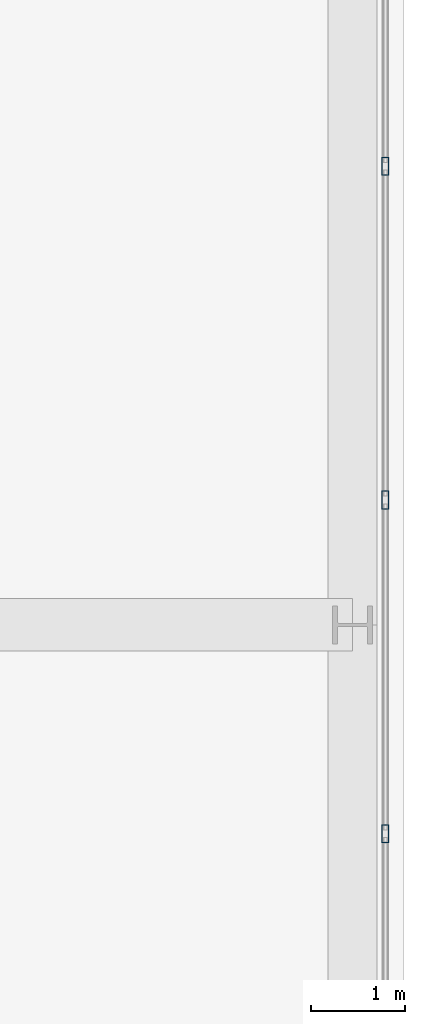
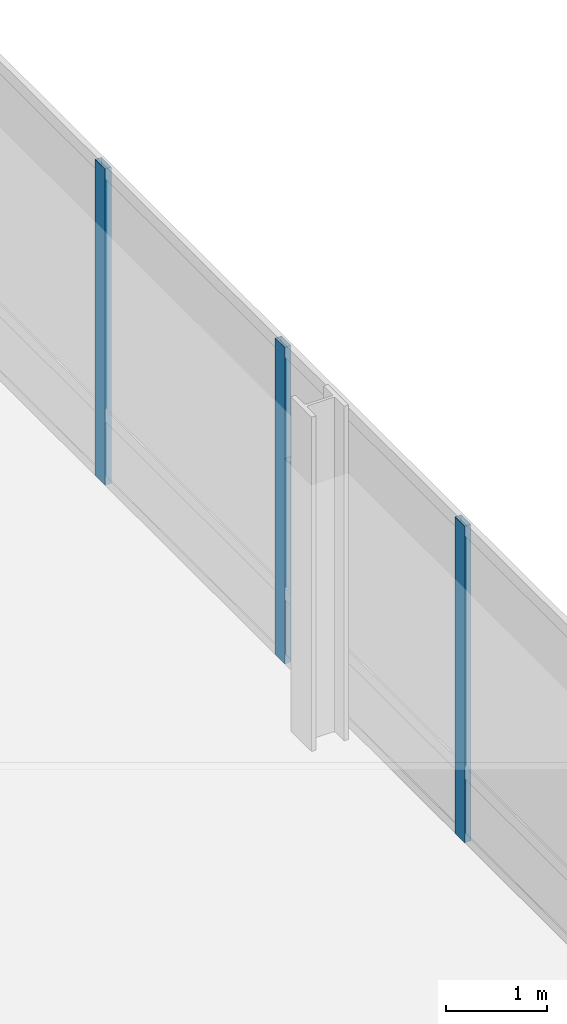
# One storey, part 19 of 36: 3 members, 1 element without a shape of its own.
"""IFC4 building model written with IfcOpenShell, lengths in metres."""

from ifc_helpers import new_model, si_unit, direction, frame, origin, origin_2d, place, context, subcontext, project, spatial, hollow_rectangle, extrude, material, material_profile, profile_set, type_object, element, aggregate, save


model = new_model("IFC4")

# Units and contexts
model_context = context("Model", 3, precision=1e-05, world=origin(), true_north=direction((0.0, 1.0)))
body_context = subcontext(model_context, "Body", "Model", "MODEL_VIEW")
ifc_project = project(units=[si_unit("LENGTHUNIT", "METRE"), si_unit("AREAUNIT", "SQUARE_METRE"), si_unit("VOLUMEUNIT", "CUBIC_METRE"), si_unit("PLANEANGLEUNIT", "RADIAN"), si_unit("MASSUNIT", "GRAM", prefix="KILO")], contexts=[model_context])

# Site, building, storey
site_placement = place(None, origin())
site = spatial("IfcSite", under=ifc_project, at=site_placement, CompositionType="ELEMENT")
building_placement = place(site_placement, origin())
building = spatial("IfcBuilding", under=site, at=building_placement, Name="Punatoya Terracotta Tower", CompositionType="ELEMENT")
storey_placement = place(building_placement, frame((0.0, 0.0, 212.699951171875)))
storey = spatial("IfcBuildingStorey", under=building, at=storey_placement, Name="L50", CompositionType="ELEMENT", Elevation=212.699951171875)

# Curtain wall, members
ifc_material_1 = material(Name="Aluminium 6063-T6 + Double Low-E Glass", Category="aluminium")
curtain_wall_type = type_object("IfcCurtainWallType", Name="CW-M2", PredefinedType="NOTDEFINED", material=ifc_material_1)
curtain_wall_placement = place(storey_placement, origin())
curtain_wall = element("IfcCurtainWall", 1, at=curtain_wall_placement, inside=storey, type_object=curtain_wall_type, Name="L50 Curtain Wall CW-L50-E05-1", PredefinedType="NOTDEFINED")
ifc_material_2 = material(Name="Aluminium 6063-T6", Category="aluminium")
ifc_material_profile = material_profile(ifc_material_2, hollow_rectangle(XDim=0.072021484375, YDim=0.195068359375, WallThickness=0.00439453125, at=origin_2d()))
ifc_profile_set = profile_set([ifc_material_profile], Name="Aluminium 6063-T6")
member_type = type_object("IfcMemberType", Name="CW-MUL-M2", PredefinedType="MULLION", material=ifc_profile_set)
member_1_placement = place(storey_placement, frame((24.85009765625, 1.16748046875, 0.0), z_axis=(0.0, 0.0, 1.0), x_axis=(1.0, 0.0, 0.0)))
member_1 = element("IfcMember", 2, at=member_1_placement, type_object=member_type, Name="CW-L50-E05-1 Mullion 06", PredefinedType="MULLION", context=body_context, shape_type="SweptSolid", body=[
    extrude(hollow_rectangle(XDim=0.072021484375, YDim=0.195068359375, WallThickness=0.00439453125, at=origin_2d()), origin(), (0.0, 0.0, 1.0), 3.830078125),
])
member_2_placement = place(storey_placement, frame((24.85009765625, 4.73486328125, 0.0), z_axis=(0.0, 0.0, 1.0), x_axis=(1.0, 0.0, 0.0)))
member_2 = element("IfcMember", 3, at=member_2_placement, type_object=member_type, Name="CW-L50-E05-1 Mullion 07", PredefinedType="MULLION", context=body_context, shape_type="SweptSolid", body=[
    extrude(hollow_rectangle(XDim=0.072021484375, YDim=0.195068359375, WallThickness=0.00439453125, at=origin_2d()), origin(), (0.0, 0.0, 1.0), 3.830078125),
])
member_3_placement = place(storey_placement, frame((24.85009765625, 8.302001953125, 0.0), z_axis=(0.0, 0.0, 1.0), x_axis=(1.0, 0.0, 0.0)))
member_3 = element("IfcMember", 4, at=member_3_placement, type_object=member_type, Name="CW-L50-E05-1 Mullion 08", PredefinedType="MULLION", context=body_context, shape_type="SweptSolid", body=[
    extrude(hollow_rectangle(XDim=0.072021484375, YDim=0.195068359375, WallThickness=0.00439453125, at=origin_2d()), origin(), (0.0, 0.0, 1.0), 3.830078125),
])
aggregate(curtain_wall, [member_1, member_2, member_3])

save(model, "model.ifc")
